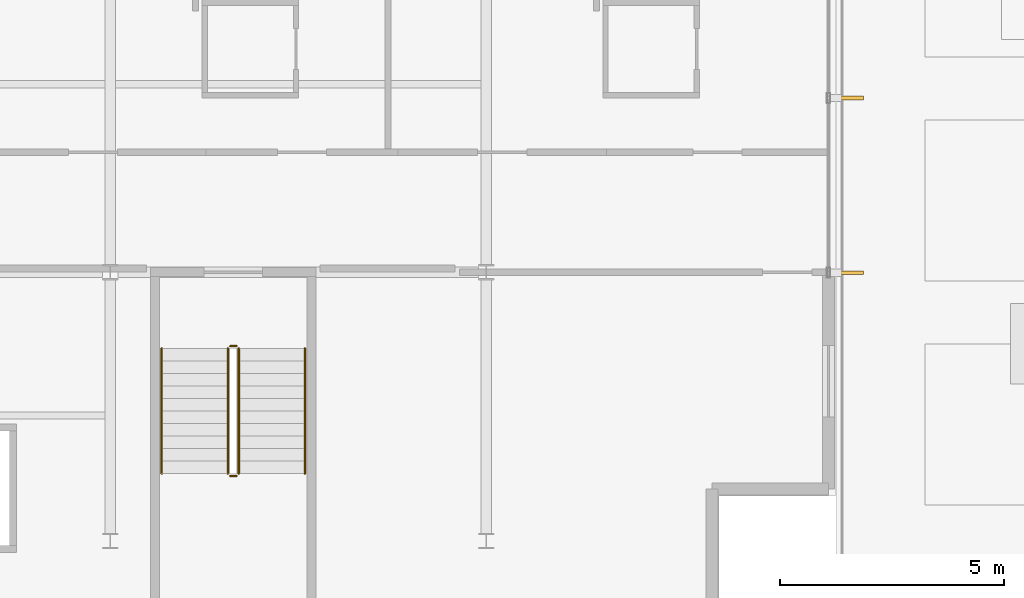
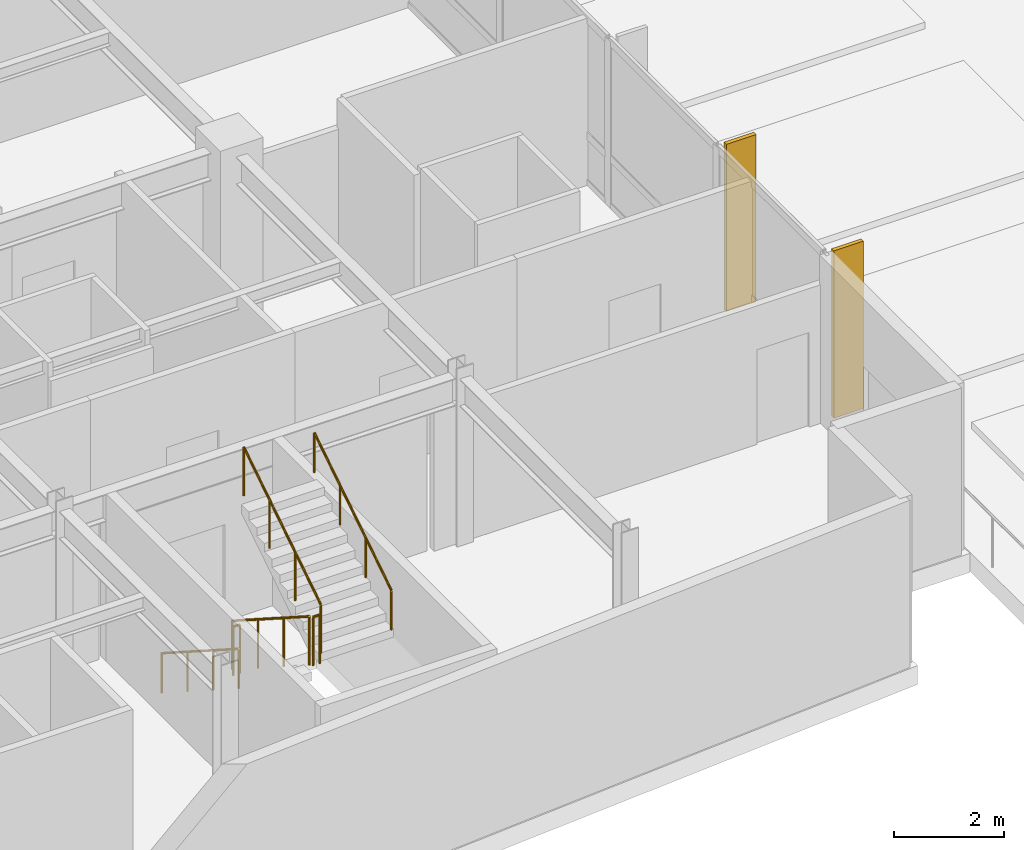
# One storey, part 17 of 20: 6 railings, 2 shading devices.
"""IFC4 building model written with IfcOpenShell, lengths in metres."""

import ifcopenshell
import ifcopenshell.guid

model = None  # the IFC model being written
_history = None  # IfcOwnerHistory: only IFC2X3 demands one
_inside = {}  # id of a spatial element -> (the spatial element, [elements in it])
_under = {}  # id of a project, library or spatial element -> (it, [spatial elements below it])
_declared = {}  # id of a project -> (the project, [libraries it declares])
_typed = {}  # id of a type object -> (the type object, [elements of that type])
_made_of = {}  # id of a material, layer set ... -> (it, [elements and type objects made of it])


def new_model(schema):
    """Start an empty IFC model of exactly this schema.

    Asked for "IFC4X3", IfcOpenShell would pick the latest addendum, in which some entities
    have other attributes; the version numbers below select the first issue.
    IFC2X3 requires an IfcOwnerHistory on every rooted entity: one is made here for all.
    """
    global model, _history
    if schema == "IFC4X3":
        model = ifcopenshell.file(schema_version=(4, 3, 0, 0))
    else:
        model = ifcopenshell.file(schema=schema)
    _inside.clear()
    _under.clear()
    _declared.clear()
    _typed.clear()
    _made_of.clear()
    _history = None
    if model.schema == "IFC2X3":
        org = make("IfcOrganization", Name="unknown")
        user = make(
            "IfcPersonAndOrganization",
            ThePerson=make("IfcPerson", FamilyName="unknown"),
            TheOrganization=org,
        )
        app = make(
            "IfcApplication",
            ApplicationDeveloper=org,
            Version="unknown",
            ApplicationFullName="unknown",
            ApplicationIdentifier="unknown",
        )
        _history = make(
            "IfcOwnerHistory",
            OwningUser=user,
            OwningApplication=app,
            ChangeAction="ADDED",
            CreationDate=0,
        )
    return model


def make(cls, **values):
    """One entity of the class cls with the attributes given. An attribute that is None is left unset."""
    return model.create_entity(
        cls, **{name: value for name, value in values.items() if value is not None}
    )


def rooted(cls, **values):
    """An entity with a GlobalId (a new one), such as an element, a storey or a relation."""
    return make(cls, GlobalId=ifcopenshell.guid.new(), OwnerHistory=_history, **values)


def si_unit(unit_type, name, prefix=None):
    """IfcSIUnit, for example si_unit("LENGTHUNIT", "METRE", prefix="MILLI")."""
    return make("IfcSIUnit", UnitType=unit_type, Prefix=prefix, Name=name)


def assignment(units):
    """IfcUnitAssignment: the units of a project."""
    return None if units is None else make("IfcUnitAssignment", Units=units)


def point(xyz):
    """IfcCartesianPoint."""
    return None if xyz is None else make("IfcCartesianPoint", Coordinates=xyz)


def direction(xyz):
    """IfcDirection."""
    return None if xyz is None else make("IfcDirection", DirectionRatios=xyz)


def frame(location, z_axis=None, x_axis=None):
    """IfcAxis2Placement3D, a coordinate frame: its origin and axes. An axis left out is left unset."""
    return make(
        "IfcAxis2Placement3D",
        Location=point(location),
        Axis=direction(z_axis),
        RefDirection=direction(x_axis),
    )


def frame_2d(location, x_axis=None):
    """IfcAxis2Placement2D, a coordinate frame in the plane: its origin and x axis."""
    return make(
        "IfcAxis2Placement2D", Location=point(location), RefDirection=direction(x_axis)
    )


def origin():
    """The frame at (0, 0, 0) with its axes left unset."""
    return frame((0.0, 0.0, 0.0))


def origin_2d():
    """The frame at (0, 0) in the plane with its x axis left unset."""
    return frame_2d((0.0, 0.0))


def place(relative_to, where):
    """IfcLocalPlacement: puts the frame where relative to a parent placement (None: the world)."""
    return make(
        "IfcLocalPlacement", PlacementRelTo=relative_to, RelativePlacement=where
    )


def context(
    kind, dimensions, precision=None, world=None, true_north=None, identifier=None
):
    """IfcGeometricRepresentationContext, for example the 3D "Model" context."""
    return make(
        "IfcGeometricRepresentationContext",
        ContextIdentifier=identifier,
        ContextType=kind,
        CoordinateSpaceDimension=dimensions,
        Precision=precision,
        WorldCoordinateSystem=world,
        TrueNorth=true_north,
    )


def subcontext(parent, identifier, kind, view, scale=None):
    """IfcGeometricRepresentationSubContext, for example "Body" below "Model"."""
    return make(
        "IfcGeometricRepresentationSubContext",
        ContextIdentifier=identifier,
        ContextType=kind,
        ParentContext=parent,
        TargetScale=scale,
        TargetView=view,
    )


def project(units=None, contexts=None):
    """IfcProject with its units and contexts."""
    return rooted(
        "IfcProject",
        Name="project",
        RepresentationContexts=contexts,
        UnitsInContext=assignment(units),
    )


def spatial(cls, under=None, at=None, **own):
    """A site, building, storey or space (cls), placed at a placement, below another one or the project."""
    s = rooted(cls, ObjectPlacement=at, **own)
    if under is not None:
        _under.setdefault(under.id(), (under, []))[1].append(s)
    return s


def profile(cls, at=None, kind="AREA", **sizes):
    """A parametric profile (cls). Its sizes go by their IFC names, for example OverallWidth=200.0."""
    return make(cls, ProfileType=kind, Position=at, **sizes)


def rectangle(**sizes):
    """IfcRectangleProfileDef."""
    return profile("IfcRectangleProfileDef", **sizes)


def circle(**sizes):
    """IfcCircleProfileDef."""
    return profile("IfcCircleProfileDef", **sizes)


def extrude(swept, where, along, depth):
    """IfcExtrudedAreaSolid: the profile swept, set in the frame where, extruded along a direction by depth."""
    return make(
        "IfcExtrudedAreaSolid",
        SweptArea=swept,
        Position=where,
        ExtrudedDirection=direction(along),
        Depth=depth,
    )


def shape(context_of_items, identifier, shape_type, items):
    """IfcShapeRepresentation: the items that make up one representation, for example the "Body"."""
    return make(
        "IfcShapeRepresentation",
        ContextOfItems=context_of_items,
        RepresentationIdentifier=identifier,
        RepresentationType=shape_type,
        Items=items,
    )


def material(Name=None, Category=None):
    """IfcMaterial."""
    return make("IfcMaterial", Name=Name, Category=Category)


def layer(
    of_material, thickness, ventilated=None, Name=None, Category=None, Priority=None
):
    """IfcMaterialLayer: one layer of a wall or slab, of a material (None: an air gap)."""
    return make(
        "IfcMaterialLayer",
        Material=of_material,
        LayerThickness=thickness,
        IsVentilated=ventilated,
        Name=Name,
        Category=Category,
        Priority=Priority,
    )


def layer_set(layers, Name=None):
    """IfcMaterialLayerSet."""
    return make("IfcMaterialLayerSet", MaterialLayers=layers, LayerSetName=Name)


def made_of(thing, what):
    """Note that an element or type object is made of a material, layer set ...; save() writes the relation."""
    if what is not None:
        _made_of.setdefault(what.id(), (what, []))[1].append(thing)
    return thing


def type_object(cls, material=None, **own):
    """A type object (cls), such as IfcWallType, which elements share."""
    return made_of(rooted(cls, **own), material)


def element(
    cls,
    number,
    at=None,
    inside=None,
    cuts=None,
    type_object=None,
    material=None,
    context=None,
    identifier="Body",
    shape_type=None,
    held_by="IfcProductDefinitionShape",
    body=None,
    shapes=None,
    **own,
):
    """One element of the class cls, such as IfcWall. Its Tag is "e" and its number.

    at: its placement. inside: the storey or other place that contains it. cuts: it is an
    opening in that element (IfcRelVoidsElement). A single representation is given by context,
    identifier, shape_type and body (its items); several are given by shapes. held_by: the class
    of the entity that holds the representations. save() writes the other relations.
    """
    e = rooted(cls, Tag="e%d" % number, ObjectPlacement=at, **own)
    if body is not None:
        shapes = [shape(context, identifier, shape_type, body)]
    if shapes is not None:
        e.Representation = make(held_by, Representations=shapes)
    if inside is not None:
        _inside.setdefault(inside.id(), (inside, []))[1].append(e)
    if cuts is not None:
        rooted(
            "IfcRelVoidsElement", RelatingBuildingElement=cuts, RelatedOpeningElement=e
        )
    if type_object is not None:
        _typed.setdefault(type_object.id(), (type_object, []))[1].append(e)
    return made_of(e, material)


def aggregate(whole, parts):
    """IfcRelAggregates: a whole, such as a stair, and the parts it consists of."""
    return rooted("IfcRelAggregates", RelatingObject=whole, RelatedObjects=parts)


def save(model, path):
    """Write the relations noted so far, then the file.

    IfcRelAggregates (storeys below a building ...), IfcRelContainedInSpatialStructure (elements
    in a storey), IfcRelDefinesByType, IfcRelAssociatesMaterial and IfcRelDeclares: one each for
    every whole, place, type object, material and project.
    """
    for whole, parts in _under.values():
        aggregate(whole, parts)
    for where, things in _inside.values():
        rooted(
            "IfcRelContainedInSpatialStructure",
            RelatedElements=things,
            RelatingStructure=where,
        )
    for kind, things in _typed.values():
        rooted("IfcRelDefinesByType", RelatedObjects=things, RelatingType=kind)
    for what, things in _made_of.values():
        rooted("IfcRelAssociatesMaterial", RelatedObjects=things, RelatingMaterial=what)
    for by, libraries in _declared.values():
        rooted("IfcRelDeclares", RelatingContext=by, RelatedDefinitions=libraries)
    model.write(path)


model = new_model("IFC4")

# Units and contexts
model_context = context("Model", 3, precision=1e-05, world=origin(), true_north=direction((0.0, 1.0)))
body_context = subcontext(model_context, "Body", "Model", "MODEL_VIEW")
ifc_project = project(units=[si_unit("LENGTHUNIT", "METRE"), si_unit("AREAUNIT", "SQUARE_METRE"), si_unit("VOLUMEUNIT", "CUBIC_METRE"), si_unit("PLANEANGLEUNIT", "RADIAN"), si_unit("MASSUNIT", "GRAM", prefix="KILO")], contexts=[model_context])

# Site, building, storey
site_placement = place(None, origin())
site = spatial("IfcSite", under=ifc_project, at=site_placement, CompositionType="ELEMENT")
building_placement = place(site_placement, origin())
building = spatial("IfcBuilding", under=site, at=building_placement, Name="Varnakote Quay Hospital", CompositionType="ELEMENT")
storey_placement = place(building_placement, frame((0.0, 0.0, 22.5)))
storey = spatial("IfcBuildingStorey", under=building, at=storey_placement, Name="L05", CompositionType="ELEMENT", Elevation=22.5)

# Railings
ifc_material_1 = material(Name="Brushed stainless steel balustrade", Category="steel")
railing_type_1 = type_object("IfcRailingType", Name="RLG-STAIR-GUARD-1150", PredefinedType="GUARDRAIL", material=ifc_material_1)
railing_1_placement = place(storey_placement, frame((44.6298828125, 10.300048828125, 0.179443359375)))
element("IfcRailing", 1, at=railing_1_placement, inside=storey, type_object=railing_type_1, Name="L05 ST-03 stair guard 1", PredefinedType="GUARDRAIL", context=body_context, shape_type="SweptSolid", body=[
    extrude(circle(Radius=0.02392578125, at=origin_2d()), frame((0.0, 0.0, 1.076171875), z_axis=(0.0, -0.841776520102, 0.539826166654), x_axis=(1.0, 0.0, 0.0)), (0.0, 0.0, 1.0), 3.326416015625),
    extrude(circle(Radius=0.02099609375, at=origin_2d()), origin(), (0.0, 0.0, 1.0), 1.052001953125),
    extrude(circle(Radius=0.02099609375, at=origin_2d()), frame((0.0, -0.933349609375, 0.5986328125)), (0.0, 0.0, 1.0), 1.052001953125),
    extrude(circle(Radius=0.02099609375, at=origin_2d()), frame((0.0, -1.86669921875, 1.197021484375)), (0.0, 0.0, 1.0), 1.052001953125),
    extrude(circle(Radius=0.02099609375, at=origin_2d()), frame((0.0, -2.800048828125, 1.795654296875)), (0.0, 0.0, 1.0), 1.052001953125),
])
railing_2_placement = place(storey_placement, frame((44.679931640625, 7.449951171875, 1.97509765625)))
element("IfcRailing", 2, at=railing_2_placement, inside=storey, type_object=railing_type_1, Name="L05 ST-03 stair guard 2", PredefinedType="GUARDRAIL", context=body_context, shape_type="SweptSolid", body=[
    extrude(circle(Radius=0.02392578125, at=origin_2d()), frame((0.0, 0.0, 1.076171875), z_axis=(1.0, 0.0, 0.0), x_axis=(0.0, 1.0, 0.0)), (0.0, 0.0, 1.0), 0.14013671875),
    extrude(circle(Radius=0.02099609375, at=origin_2d()), origin(), (0.0, 0.0, 1.0), 1.052001953125),
    extrude(circle(Radius=0.02099609375, at=origin_2d()), frame((0.14013671875, 0.0, 0.0)), (0.0, 0.0, 1.0), 1.052001953125),
])
railing_3_placement = place(storey_placement, frame((44.8701171875, 7.5, 2.154541015625)))
element("IfcRailing", 3, at=railing_3_placement, inside=storey, type_object=railing_type_1, Name="L05 ST-03 stair guard 3", PredefinedType="GUARDRAIL", context=body_context, shape_type="SweptSolid", body=[
    extrude(circle(Radius=0.02392578125, at=origin_2d()), frame((0.0, 0.0, 1.076171875), z_axis=(0.0, 0.841809871826, 0.539774156196), x_axis=(-1.0, 0.0, 0.0)), (0.0, 0.0, 1.0), 3.326171875),
    extrude(circle(Radius=0.02099609375, at=origin_2d()), origin(), (0.0, 0.0, 1.0), 1.052001953125),
    extrude(circle(Radius=0.02099609375, at=origin_2d()), frame((0.0, 0.933349609375, 0.598388671875)), (0.0, 0.0, 1.0), 1.052001953125),
    extrude(circle(Radius=0.02099609375, at=origin_2d()), frame((0.0, 1.86669921875, 1.197021484375)), (0.0, 0.0, 1.0), 1.052001953125),
    extrude(circle(Radius=0.02099609375, at=origin_2d()), frame((0.0, 2.800048828125, 1.79541015625)), (0.0, 0.0, 1.0), 1.052001953125),
])
railing_4_placement = place(storey_placement, frame((44.679931640625, 10.35009765625, 0.0)))
element("IfcRailing", 4, at=railing_4_placement, inside=storey, type_object=railing_type_1, Name="L05 ST-03 stair guard 4", PredefinedType="GUARDRAIL", context=body_context, shape_type="SweptSolid", body=[
    extrude(circle(Radius=0.02392578125, at=origin_2d()), frame((0.0, 0.0, 1.076171875), z_axis=(1.0, 0.0, 0.0), x_axis=(0.0, 1.0, 0.0)), (0.0, 0.0, 1.0), 0.14013671875),
    extrude(circle(Radius=0.02099609375, at=origin_2d()), origin(), (0.0, 0.0, 1.0), 1.052001953125),
    extrude(circle(Radius=0.02099609375, at=origin_2d()), frame((0.14013671875, 0.0, 0.0)), (0.0, 0.0, 1.0), 1.052001953125),
])
ifc_material_2 = material(Name="Brushed stainless steel handrail", Category="steel")
railing_type_2 = type_object("IfcRailingType", Name="RLG-STAIR-HND-920", PredefinedType="HANDRAIL", material=ifc_material_2)
railing_5_placement = place(storey_placement, frame((43.14990234375, 10.300048828125, 0.179443359375)))
element("IfcRailing", 5, at=railing_5_placement, inside=storey, type_object=railing_type_2, Name="L05 ST-03 stair handrail 1", PredefinedType="HANDRAIL", context=body_context, shape_type="SweptSolid", body=[
    extrude(circle(Radius=0.02392578125, at=origin_2d()), frame((0.0, 0.0, 0.8759765625), z_axis=(0.0, -0.841776520102, 0.539826166654), x_axis=(1.0, 0.0, 0.0)), (0.0, 0.0, 1.0), 3.326416015625),
    extrude(circle(Radius=0.02099609375, at=origin_2d()), origin(), (0.0, 0.0, 1.0), 0.851806640625),
    extrude(circle(Radius=0.02099609375, at=origin_2d()), frame((0.0, -0.933349609375, 0.5986328125)), (0.0, 0.0, 1.0), 0.851806640625),
    extrude(circle(Radius=0.02099609375, at=origin_2d()), frame((0.0, -1.86669921875, 1.197021484375)), (0.0, 0.0, 1.0), 0.851806640625),
    extrude(circle(Radius=0.02099609375, at=origin_2d()), frame((0.0, -2.800048828125, 1.795654296875)), (0.0, 0.0, 1.0), 0.851806640625),
])
railing_6_placement = place(storey_placement, frame((46.35009765625, 7.5, 2.154541015625)))
element("IfcRailing", 6, at=railing_6_placement, inside=storey, type_object=railing_type_2, Name="L05 ST-03 stair handrail 2", PredefinedType="HANDRAIL", context=body_context, shape_type="SweptSolid", body=[
    extrude(circle(Radius=0.02392578125, at=origin_2d()), frame((0.0, 0.0, 0.8759765625), z_axis=(0.0, 0.841809871826, 0.539774156196), x_axis=(-1.0, 0.0, 0.0)), (0.0, 0.0, 1.0), 3.326171875),
    extrude(circle(Radius=0.02099609375, at=origin_2d()), origin(), (0.0, 0.0, 1.0), 0.851806640625),
    extrude(circle(Radius=0.02099609375, at=origin_2d()), frame((0.0, 0.933349609375, 0.598388671875)), (0.0, 0.0, 1.0), 0.851806640625),
    extrude(circle(Radius=0.02099609375, at=origin_2d()), frame((0.0, 1.86669921875, 1.197021484375)), (0.0, 0.0, 1.0), 0.851806640625),
    extrude(circle(Radius=0.02099609375, at=origin_2d()), frame((0.0, 2.800048828125, 1.79541015625)), (0.0, 0.0, 1.0), 0.851806640625),
])

# Shading devices
ifc_material_3 = material(Name="Anodised aluminium 6063-T6 Bronze", Category="aluminium")
ifc_layer = layer(ifc_material_3, 0.0849609375)
ifc_layer_set = layer_set([ifc_layer], Name="Anodised aluminium 6063-T6 Bronze")
shading_device_type = type_object("IfcShadingDeviceType", Name="SHD-BRONZE-FIN-620", PredefinedType="USERDEFINED", material=ifc_layer_set)
for number, where, z_axis, x_axis, name in (
    (7, (58.510009765625, 11.987548828125, 0.0), (0.0, 0.0, 1.0), (-1.0, 0.0, 0.0), "L05 Anodised Bronze Vertical Shading FIN"),
    (8, (58.510009765625, 15.887939453125, 0.0), (0.0, 0.0, 1.0), (-1.0, 0.0, 0.0), "L05 Anodised Bronze Vertical Shading FIN"),
):
    element("IfcShadingDevice", number, at=place(storey_placement, frame(where, z_axis=z_axis, x_axis=x_axis)), inside=storey, type_object=shading_device_type, Name=name, ObjectType="FIN", PredefinedType="USERDEFINED", context=body_context, shape_type="SweptSolid", body=[
        extrude(rectangle(XDim=0.6201171875, YDim=0.0849609375, at=origin_2d()), origin(), (0.0, 0.0, 1.0), 3.7099609375),
    ])

save(model, "model.ifc")
